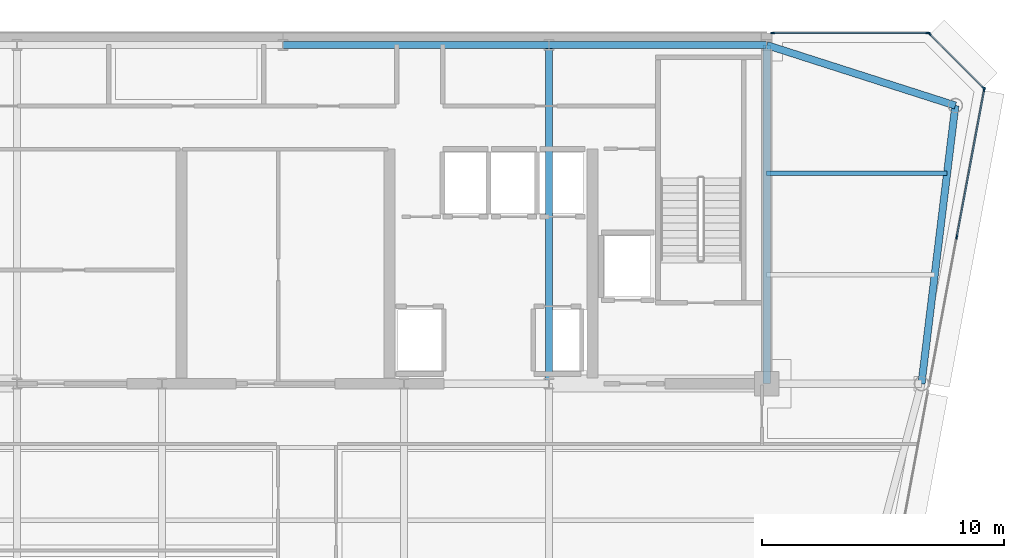
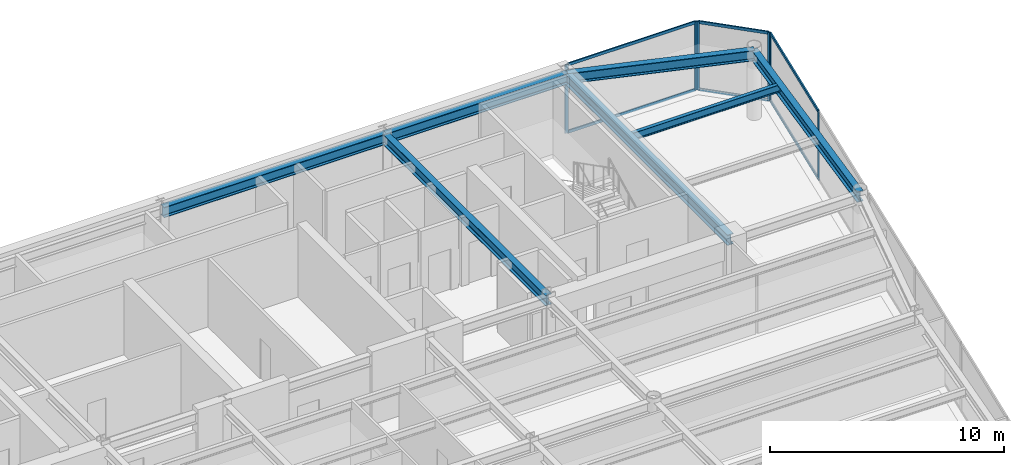
# One storey, part 8 of 18: 12 members, 7 beams, 3 elements without a shape of their own.
"""IFC4 building model written with IfcOpenShell, lengths in metres."""

from ifc_helpers import new_model, si_unit, direction, frame, origin, origin_2d, place, context, subcontext, project, spatial, rectangle, i_section, extrude, source, transform, mapped, material, layer, layer_set, material_profile, profile_set, type_object, element, aggregate, save


model = new_model("IFC4")

# Units and contexts
model_context = context("Model", 3, precision=1e-05, world=origin(), true_north=direction((0.0, 1.0)))
body_context = subcontext(model_context, "Body", "Model", "MODEL_VIEW")
ifc_project = project(units=[si_unit("LENGTHUNIT", "METRE"), si_unit("AREAUNIT", "SQUARE_METRE"), si_unit("VOLUMEUNIT", "CUBIC_METRE"), si_unit("PLANEANGLEUNIT", "RADIAN"), si_unit("MASSUNIT", "GRAM", prefix="KILO")], contexts=[model_context])

# Site, building, storey
site_placement = place(None, origin())
site = spatial("IfcSite", under=ifc_project, at=site_placement, CompositionType="ELEMENT")
building_placement = place(site_placement, origin())
building = spatial("IfcBuilding", under=site, at=building_placement, Name="Vaeldorn Concourse Tower", CompositionType="ELEMENT")
storey_placement = place(building_placement, frame((0.0, 0.0, 257.39990234375)))
storey = spatial("IfcBuildingStorey", under=building, at=storey_placement, Name="L66", CompositionType="ELEMENT", Elevation=257.39990234375)

# Beams
ifc_material_1 = material(Name="Steel S355", Category="steel")
ifc_material_profile_1 = material_profile(ifc_material_1, i_section(OverallWidth=0.179931640625, OverallDepth=0.39990234375, WebThickness=0.008544921875, FlangeThickness=0.013427734375, FilletRadius=0.02099609375, at=origin_2d()), Name="IPE 400")
ifc_profile_set_1 = profile_set([ifc_material_profile_1], Name="Steel S355")
beam_type_1 = type_object("IfcBeamType", Name="BM-JS-IPE400", PredefinedType="JOIST", material=ifc_profile_set_1)
shared_shape_1 = source(origin(), body_context, "Body", "SweptSolid", [
    extrude(i_section(OverallWidth=0.179931640625, OverallDepth=0.39990234375, WebThickness=0.008544921875, FlangeThickness=0.013427734375, FilletRadius=0.02099609375, at=origin_2d()), origin(), (0.0, 0.0, 1.0), 7.458984375),
])
beam_1_placement = place(storey_placement, frame((54.0, 45.199951171875, 3.380126953125), z_axis=(1.0, 0.0, 0.0), x_axis=(0.0, 1.0, 0.0)))
element("IfcBeam", 1, at=beam_1_placement, inside=storey, type_object=beam_type_1, Name="Beam JS-L66-NE-452", PredefinedType="JOIST", context=body_context, shape_type="MappedRepresentation", body=[
    mapped(shared_shape_1, transform((0.0, 0.0, 0.0), scale=1.0)),
])
ifc_material_profile_2 = material_profile(ifc_material_1, i_section(OverallWidth=0.300048828125, OverallDepth=0.550048828125, WebThickness=0.014892578125, FlangeThickness=0.029052734375, FilletRadius=0.027099609375, at=origin_2d()), Name="HEB 550")
ifc_profile_set_2 = profile_set([ifc_material_profile_2], Name="Steel S355")
beam_type_2 = type_object("IfcBeamType", Name="BM-PG-HEB550", PredefinedType="BEAM", material=ifc_profile_set_2)
shared_shape_2 = source(origin(), body_context, "Body", "SweptSolid", [
    extrude(i_section(OverallWidth=0.300048828125, OverallDepth=0.550048828125, WebThickness=0.014892578125, FlangeThickness=0.029052734375, FilletRadius=0.027099609375, at=origin_2d()), origin(), (0.0, 0.0, 1.0), 9.0),
])
beam_2_placement = place(storey_placement, frame((45.0, 50.5, 3.30517578125), z_axis=(1.0, 0.0, 0.0), x_axis=(0.0, 1.0, 0.0)))
element("IfcBeam", 2, at=beam_2_placement, inside=storey, type_object=beam_type_2, Name="Beam BM-L66-C-HC4-C-HC5", PredefinedType="BEAM", context=body_context, shape_type="MappedRepresentation", body=[
    mapped(shared_shape_2, transform((0.0, 0.0, 0.0), scale=1.0)),
])
shared_shape_3 = source(origin(), body_context, "Body", "SweptSolid", [
    extrude(i_section(OverallWidth=0.300048828125, OverallDepth=0.550048828125, WebThickness=0.014892578125, FlangeThickness=0.029052734375, FilletRadius=0.027099609375, at=origin_2d()), origin(), (0.0, 0.0, 1.0), 11.0),
])
beam_3_placement = place(storey_placement, frame((34.0, 50.5, 3.30517578125), z_axis=(1.0, 0.0, 0.0), x_axis=(0.0, 1.0, 0.0)))
element("IfcBeam", 3, at=beam_3_placement, inside=storey, type_object=beam_type_2, Name="Beam BM-L66-C-HC3-C-HC4", PredefinedType="BEAM", context=body_context, shape_type="MappedRepresentation", body=[
    mapped(shared_shape_3, transform((0.0, 0.0, 0.0), scale=1.0)),
])
shared_shape_4 = source(origin(), body_context, "Body", "SweptSolid", [
    extrude(i_section(OverallWidth=0.300048828125, OverallDepth=0.550048828125, WebThickness=0.014892578125, FlangeThickness=0.029052734375, FilletRadius=0.027099609375, at=origin_2d()), origin(), (0.0, 0.0, 1.0), 14.0),
])
for number, where, z_axis, x_axis, name in (
    (4, (45.0, 36.5, 3.30517578125), (0.0, 1.0, 0.0), (-1.0, 0.0, 0.0), "Beam BM-L66-C-FC5-C-HC4"),
    (5, (54.0, 36.5, 3.30517578125), (0.0, 1.0, 0.0), (-1.0, 0.0, 0.0), "Beam BM-L66-C-FC6-C-HC5"),
):
    element("IfcBeam", number, at=place(storey_placement, frame(where, z_axis=z_axis, x_axis=x_axis)), inside=storey, type_object=beam_type_2, Name=name, PredefinedType="BEAM", context=body_context, shape_type="MappedRepresentation", body=[
        mapped(shared_shape_4, transform((0.0, 0.0, 0.0), scale=1.0)),
    ])
shared_shape_5 = source(origin(), body_context, "Body", "SweptSolid", [
    extrude(i_section(OverallWidth=0.300048828125, OverallDepth=0.550048828125, WebThickness=0.014892578125, FlangeThickness=0.029052734375, FilletRadius=0.027099609375, at=origin_2d()), origin(), (0.0, 0.0, 1.0), 8.19091796875),
])
beam_4_placement = place(storey_placement, frame((54.0, 50.5, 3.30517578125), z_axis=(0.952282843383, -0.305216949396, 0.0), x_axis=(0.305216949396, 0.952282843383, 0.0)))
element("IfcBeam", 6, at=beam_4_placement, inside=storey, type_object=beam_type_2, Name="Beam BM-L66-C-HC5-C-NE1", PredefinedType="BEAM", context=body_context, shape_type="MappedRepresentation", body=[
    mapped(shared_shape_5, transform((0.0, 0.0, 0.0), scale=1.0)),
])
shared_shape_6 = source(origin(), body_context, "Body", "SweptSolid", [
    extrude(i_section(OverallWidth=0.300048828125, OverallDepth=0.550048828125, WebThickness=0.014892578125, FlangeThickness=0.029052734375, FilletRadius=0.027099609375, at=origin_2d()), origin(), (0.0, 0.0, 1.0), 11.5849609375),
])
beam_5_placement = place(storey_placement, frame((61.800048828125, 48.0, 3.30517578125), z_axis=(-0.120859382899, -0.992669637677, 0.0), x_axis=(0.992669637677, -0.120859382899, 0.0)))
element("IfcBeam", 7, at=beam_5_placement, inside=storey, type_object=beam_type_2, Name="Beam BM-L66-C-NE1-C-NE2", PredefinedType="BEAM", context=body_context, shape_type="MappedRepresentation", body=[
    mapped(shared_shape_6, transform((0.0, 0.0, 0.0), scale=1.0)),
])

# Curtain wall, members
ifc_material_2 = material(Name="Anodised Bronze Aluminium", Category="aluminium")
ifc_layer = layer(ifc_material_2, 0.179931640625)
ifc_layer_set = layer_set([ifc_layer], Name="Anodised Bronze Aluminium")
curtain_wall_type = type_object("IfcCurtainWallType", Name="CW-SYS-05", PredefinedType="NOTDEFINED", material=ifc_layer_set)
curtain_wall_1_placement = place(storey_placement, origin())
curtain_wall_1 = element("IfcCurtainWall", 8, at=curtain_wall_1_placement, inside=storey, type_object=curtain_wall_type, Name="Unitised Curtain Wall CW-L66-E08-1", PredefinedType="NOTDEFINED")
ifc_material_profile_3 = material_profile(ifc_material_2, rectangle(XDim=0.06494140625, YDim=0.14990234375, at=origin_2d()), Name="CWT 65x150")
ifc_profile_set_3 = profile_set([ifc_material_profile_3], Name="Anodised Bronze Aluminium")
member_type_1 = type_object("IfcMemberType", Name="CWT-BRONZE-150", PredefinedType="USERDEFINED", material=ifc_profile_set_3)
shared_shape_7 = source(origin(), body_context, "Body", "SweptSolid", [
    extrude(rectangle(XDim=0.06494140625, YDim=0.14990234375, at=origin_2d()), origin(), (0.0, 0.0, 1.0), 3.123046875),
])
member_1_placement = place(storey_placement, frame((62.9541015625, 48.745849609375, 0.03271484375), z_axis=(-0.707106781187, 0.707106781187, 0.0), x_axis=(-0.707106781187, -0.707106781187, 0.0)))
member_1 = element("IfcMember", 9, at=member_1_placement, type_object=member_type_1, Name="CW-05 transom 1.1", ObjectType="TRANSOM", PredefinedType="USERDEFINED", context=body_context, shape_type="MappedRepresentation", body=[
    mapped(shared_shape_7, transform((0.0, 0.0, 0.0), scale=1.0)),
])
member_2_placement = place(storey_placement, frame((62.9541015625, 48.745849609375, 3.547607421875), z_axis=(-0.707106781187, 0.707106781187, 0.0), x_axis=(-0.707106781187, -0.707106781187, 0.0)))
member_2 = element("IfcMember", 10, at=member_2_placement, type_object=member_type_1, Name="CW-05 transom 1.2", ObjectType="TRANSOM", PredefinedType="USERDEFINED", context=body_context, shape_type="MappedRepresentation", body=[
    mapped(shared_shape_7, transform((0.0, 0.0, 0.0), scale=1.0)),
])

curtain_wall_2_placement = place(storey_placement, origin())
curtain_wall_2 = element("IfcCurtainWall", 11, at=curtain_wall_2_placement, inside=storey, type_object=curtain_wall_type, Name="Unitised Curtain Wall CW-L66-E07-2", PredefinedType="NOTDEFINED")
ifc_material_profile_4 = material_profile(ifc_material_2, rectangle(XDim=0.06494140625, YDim=0.169921875, at=origin_2d()), Name="CWM 65x170")
ifc_profile_set_4 = profile_set([ifc_material_profile_4], Name="Anodised Bronze Aluminium")
member_type_2 = type_object("IfcMemberType", Name="CWM-BRONZE-170", PredefinedType="MULLION", material=ifc_profile_set_4)
shared_shape_8 = source(origin(), body_context, "Body", "SweptSolid", [
    extrude(rectangle(XDim=0.06494140625, YDim=0.169921875, at=origin_2d()), origin(), (0.0, 0.0, 1.0), 3.580078125),
])
member_3_placement = place(storey_placement, frame((61.857421875, 42.564208984375, 0.0), z_axis=(0.0, 0.0, 1.0), x_axis=(-0.983102768025, 0.183054493257, 0.0)))
member_3 = element("IfcMember", 12, at=member_3_placement, type_object=member_type_2, Name="CW-05 mullion 2", PredefinedType="MULLION", context=body_context, shape_type="MappedRepresentation", body=[
    mapped(shared_shape_8, transform((0.0, 0.0, 0.0), scale=1.0)),
])
member_4_placement = place(storey_placement, frame((62.994140625, 48.66796875, 0.0), z_axis=(0.0, 0.0, 1.0), x_axis=(-0.983102768025, 0.183054493257, 0.0)))
member_4 = element("IfcMember", 13, at=member_4_placement, type_object=member_type_2, Name="CW-05 mullion 3", PredefinedType="MULLION", context=body_context, shape_type="MappedRepresentation", body=[
    mapped(shared_shape_8, transform((0.0, 0.0, 0.0), scale=1.0)),
])

# Member
member_5_placement = place(storey_placement, frame((62.97705078125, 48.722900390625, 0.0), z_axis=(0.0, 0.0, 1.0), x_axis=(-0.707106781187, -0.707106781187, 0.0)))
member_5 = element("IfcMember", 14, at=member_5_placement, type_object=member_type_2, Name="CW-05 mullion 1", PredefinedType="MULLION", context=body_context, shape_type="MappedRepresentation", body=[
    mapped(shared_shape_8, transform((0.0, 0.0, 0.0), scale=1.0)),
])

member_6_placement = place(storey_placement, frame((60.722900390625, 50.97705078125, 0.0), z_axis=(0.0, 0.0, 1.0), x_axis=(-0.707106781187, -0.707106781187, 0.0)))
member_6 = element("IfcMember", 15, at=member_6_placement, type_object=member_type_2, Name="CW-05 mullion 2", PredefinedType="MULLION", context=body_context, shape_type="MappedRepresentation", body=[
    mapped(shared_shape_8, transform((0.0, 0.0, 0.0), scale=1.0)),
])

aggregate(curtain_wall_1, [member_5, member_6, member_1, member_2])

# Curtain wall, members
curtain_wall_3_placement = place(storey_placement, origin())
curtain_wall_3 = element("IfcCurtainWall", 16, at=curtain_wall_3_placement, inside=storey, type_object=curtain_wall_type, Name="Unitised Curtain Wall CW-L66-E09-1", PredefinedType="NOTDEFINED")
member_7_placement = place(storey_placement, frame((60.66748046875, 51.0, 0.0), z_axis=(0.0, 0.0, 1.0), x_axis=(0.0, -1.0, 0.0)))
member_7 = element("IfcMember", 17, at=member_7_placement, type_object=member_type_2, Name="CW-05 mullion 1", PredefinedType="MULLION", context=body_context, shape_type="MappedRepresentation", body=[
    mapped(shared_shape_8, transform((0.0, 0.0, 0.0), scale=1.0)),
])
member_8_placement = place(storey_placement, frame((54.25244140625, 51.0, 0.0), z_axis=(0.0, 0.0, 1.0), x_axis=(0.0, -1.0, 0.0)))
member_8 = element("IfcMember", 18, at=member_8_placement, type_object=member_type_2, Name="CW-05 mullion 2", PredefinedType="MULLION", context=body_context, shape_type="MappedRepresentation", body=[
    mapped(shared_shape_8, transform((0.0, 0.0, 0.0), scale=1.0)),
])

# Member
shared_shape_9 = source(origin(), body_context, "Body", "SweptSolid", [
    extrude(rectangle(XDim=0.06494140625, YDim=0.14990234375, at=origin_2d()), origin(), (0.0, 0.0, 1.0), 6.1435546875),
])
member_9_placement = place(storey_placement, frame((61.863525390625, 42.59619140625, 0.03271484375), z_axis=(0.183038328644, 0.983105777751, 0.0), x_axis=(-0.983105777751, 0.183038328644, 0.0)))
member_9 = element("IfcMember", 19, at=member_9_placement, type_object=member_type_1, Name="CW-05 transom 2.1", ObjectType="TRANSOM", PredefinedType="USERDEFINED", context=body_context, shape_type="MappedRepresentation", body=[
    mapped(shared_shape_9, transform((0.0, 0.0, 0.0), scale=1.0)),
])

member_10_placement = place(storey_placement, frame((61.863525390625, 42.59619140625, 3.547607421875), z_axis=(0.183038328644, 0.983105777751, 0.0), x_axis=(-0.983105777751, 0.183038328644, 0.0)))
member_10 = element("IfcMember", 20, at=member_10_placement, type_object=member_type_1, Name="CW-05 transom 2.2", ObjectType="TRANSOM", PredefinedType="USERDEFINED", context=body_context, shape_type="MappedRepresentation", body=[
    mapped(shared_shape_9, transform((0.0, 0.0, 0.0), scale=1.0)),
])

aggregate(curtain_wall_2, [member_3, member_4, member_9, member_10])

shared_shape_10 = source(origin(), body_context, "Body", "SweptSolid", [
    extrude(rectangle(XDim=0.06494140625, YDim=0.14990234375, at=origin_2d()), origin(), (0.0, 0.0, 1.0), 6.35009765625),
])
member_11_placement = place(storey_placement, frame((60.635009765625, 51.0, 0.03271484375), z_axis=(-1.0, 0.0, 0.0), x_axis=(0.0, -1.0, 0.0)))
member_11 = element("IfcMember", 21, at=member_11_placement, type_object=member_type_1, Name="CW-05 transom 1.1", ObjectType="TRANSOM", PredefinedType="USERDEFINED", context=body_context, shape_type="MappedRepresentation", body=[
    mapped(shared_shape_10, transform((0.0, 0.0, 0.0), scale=1.0)),
])

member_12_placement = place(storey_placement, frame((60.635009765625, 51.0, 3.547607421875), z_axis=(-1.0, 0.0, 0.0), x_axis=(0.0, -1.0, 0.0)))
member_12 = element("IfcMember", 22, at=member_12_placement, type_object=member_type_1, Name="CW-05 transom 1.2", ObjectType="TRANSOM", PredefinedType="USERDEFINED", context=body_context, shape_type="MappedRepresentation", body=[
    mapped(shared_shape_10, transform((0.0, 0.0, 0.0), scale=1.0)),
])

aggregate(curtain_wall_3, [member_7, member_8, member_11, member_12])

save(model, "model.ifc")
